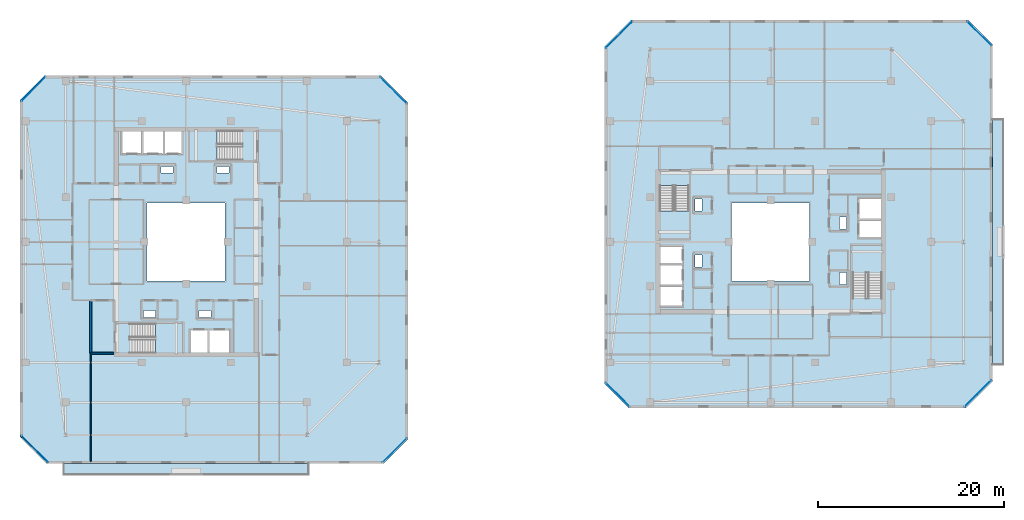
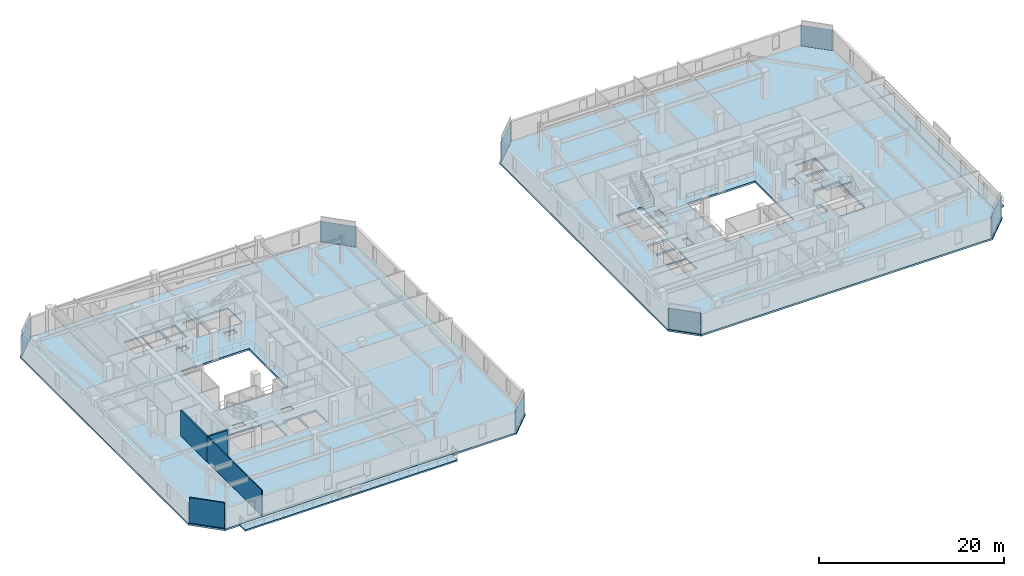
# One storey, part 20 of 35: 8 plates, 8 slabs, 4 walls, 12 elements without a shape of their own.
"""IFC4 building model written with IfcOpenShell, lengths in metres."""

from ifc_helpers import new_model, si_unit, direction, frame, frame_2d, origin, origin_2d, place, context, subcontext, project, spatial, polyline, rectangle, outline, extrude, material, layer, layer_set, type_object, element, aggregate, save


model = new_model("IFC4")

# Units and contexts
model_context = context("Model", 3, precision=1e-05, world=origin(), true_north=direction((0.0, 1.0)))
body_context = subcontext(model_context, "Body", "Model", "MODEL_VIEW")
ifc_project = project(units=[si_unit("LENGTHUNIT", "METRE"), si_unit("AREAUNIT", "SQUARE_METRE"), si_unit("VOLUMEUNIT", "CUBIC_METRE"), si_unit("PLANEANGLEUNIT", "RADIAN"), si_unit("MASSUNIT", "GRAM", prefix="KILO")], contexts=[model_context])

# Site, building, storey
site_placement = place(None, origin())
site = spatial("IfcSite", under=ifc_project, at=site_placement, CompositionType="ELEMENT")
building_placement = place(site_placement, origin())
building = spatial("IfcBuilding", under=site, at=building_placement, Name="Thornwick Lancets Civic Towers", CompositionType="ELEMENT")
storey_placement = place(building_placement, frame((0.0, 0.0, 272.699951171875)))
storey = spatial("IfcBuildingStorey", under=building, at=storey_placement, Name="L73", CompositionType="ELEMENT", Elevation=272.699951171875)

# Curtain wall, plate
ifc_material_1 = material(Name="High-zone chamfered-corner unitised glass curtain wall", Category="glass")
curtain_wall_type = type_object("IfcCurtainWallType", Name="CW_SYS_05", PredefinedType="NOTDEFINED", material=ifc_material_1)
curtain_wall_1_placement = place(storey_placement, origin())
curtain_wall_1 = element("IfcCurtainWall", 1, at=curtain_wall_1_placement, inside=storey, type_object=curtain_wall_type, Name="L73 Curtain Wall CW-L73-A-E1", PredefinedType="NOTDEFINED")
ifc_material_2 = material(Name="Low-e double glazing clear glass", Category="glass")
ifc_layer_1 = layer(ifc_material_2, 0.035888671875, Name="Low-e double glazing clear glass")
ifc_layer_set_1 = layer_set([ifc_layer_1], Name="Low-e double glazing clear glass")
plate_type = type_object("IfcPlateType", Name="CW_PNL_GLASS", PredefinedType="CURTAIN_PANEL", material=ifc_layer_set_1)
plate_1_placement = place(storey_placement, frame((47.972900390625, 4.527099609375, 0.0), z_axis=(0.0, 0.0, 1.0), x_axis=(0.707106781187, 0.707106781187, 0.0)))
plate_1 = element("IfcPlate", 2, at=plate_1_placement, type_object=plate_type, Name="CW-L73-A-E1 Panel 0", PredefinedType="CURTAIN_PANEL", context=body_context, shape_type="SweptSolid", body=[
    extrude(rectangle(XDim=3.649169921875, YDim=0.035888671875, at=origin_2d()), origin(), (0.0, 0.0, 1.0), 2.699951171875),
])
aggregate(curtain_wall_1, [plate_1])

curtain_wall_2_placement = place(storey_placement, origin())
curtain_wall_2 = element("IfcCurtainWall", 3, at=curtain_wall_2_placement, inside=storey, type_object=curtain_wall_type, Name="L73 Curtain Wall CW-L73-A-E3", PredefinedType="NOTDEFINED")
plate_2_placement = place(storey_placement, frame((47.834716796875, 43.334716796875, 0.0), z_axis=(0.0, 0.0, 1.0), x_axis=(-0.707106781187, 0.707106781187, 0.0)))
plate_2 = element("IfcPlate", 4, at=plate_2_placement, type_object=plate_type, Name="CW-L73-A-E3 Panel 0", PredefinedType="CURTAIN_PANEL", context=body_context, shape_type="SweptSolid", body=[
    extrude(rectangle(XDim=4.0380859375, YDim=0.035888671875, at=origin_2d()), origin(), (0.0, 0.0, 1.0), 2.699951171875),
])
aggregate(curtain_wall_2, [plate_2])

curtain_wall_3_placement = place(storey_placement, origin())
curtain_wall_3 = element("IfcCurtainWall", 5, at=curtain_wall_3_placement, inside=storey, type_object=curtain_wall_type, Name="L73 Curtain Wall CW-L73-A-E5", PredefinedType="NOTDEFINED")
plate_3_placement = place(storey_placement, frame((9.027099609375, 43.472900390625, 0.0), z_axis=(0.0, 0.0, 1.0), x_axis=(-0.707106781187, -0.707106781187, 0.0)))
plate_3 = element("IfcPlate", 6, at=plate_3_placement, type_object=plate_type, Name="CW-L73-A-E5 Panel 0", PredefinedType="CURTAIN_PANEL", context=body_context, shape_type="SweptSolid", body=[
    extrude(rectangle(XDim=3.649169921875, YDim=0.035888671875, at=origin_2d()), origin(), (0.0, 0.0, 1.0), 2.699951171875),
])
aggregate(curtain_wall_3, [plate_3])

curtain_wall_4_placement = place(storey_placement, origin())
curtain_wall_4 = element("IfcCurtainWall", 7, at=curtain_wall_4_placement, inside=storey, type_object=curtain_wall_type, Name="L73 Curtain Wall CW-L73-A-E7", PredefinedType="NOTDEFINED")
plate_4_placement = place(storey_placement, frame((9.165283203125, 4.665283203125, 0.0), z_axis=(0.0, 0.0, 1.0), x_axis=(0.707106781187, -0.707106781187, 0.0)))
plate_4 = element("IfcPlate", 8, at=plate_4_placement, type_object=plate_type, Name="CW-L73-A-E7 Panel 0", PredefinedType="CURTAIN_PANEL", context=body_context, shape_type="SweptSolid", body=[
    extrude(rectangle(XDim=4.0380859375, YDim=0.035888671875, at=origin_2d()), origin(), (0.0, 0.0, 1.0), 2.699951171875),
])
aggregate(curtain_wall_4, [plate_4])

curtain_wall_5_placement = place(storey_placement, origin())
curtain_wall_5 = element("IfcCurtainWall", 9, at=curtain_wall_5_placement, inside=storey, type_object=curtain_wall_type, Name="L73 Curtain Wall CW-L73-B-E1", PredefinedType="NOTDEFINED")
plate_5_placement = place(storey_placement, frame((110.834716796875, 10.665283203125, 0.0), z_axis=(0.0, 0.0, 1.0), x_axis=(0.707106781187, 0.707106781187, 0.0)))
plate_5 = element("IfcPlate", 10, at=plate_5_placement, type_object=plate_type, Name="CW-L73-B-E1 Panel 0", PredefinedType="CURTAIN_PANEL", context=body_context, shape_type="SweptSolid", body=[
    extrude(rectangle(XDim=4.0380859375, YDim=0.035888671875, at=origin_2d()), origin(), (0.0, 0.0, 1.0), 2.699951171875),
])
aggregate(curtain_wall_5, [plate_5])

curtain_wall_6_placement = place(storey_placement, origin())
curtain_wall_6 = element("IfcCurtainWall", 11, at=curtain_wall_6_placement, inside=storey, type_object=curtain_wall_type, Name="L73 Curtain Wall CW-L73-B-E3", PredefinedType="NOTDEFINED")
plate_6_placement = place(storey_placement, frame((110.972900390625, 49.472900390625, 0.0), z_axis=(0.0, 0.0, 1.0), x_axis=(-0.707106781187, 0.707106781187, 0.0)))
plate_6 = element("IfcPlate", 12, at=plate_6_placement, type_object=plate_type, Name="CW-L73-B-E3 Panel 0", PredefinedType="CURTAIN_PANEL", context=body_context, shape_type="SweptSolid", body=[
    extrude(rectangle(XDim=3.649169921875, YDim=0.035888671875, at=origin_2d()), origin(), (0.0, 0.0, 1.0), 2.699951171875),
])
aggregate(curtain_wall_6, [plate_6])

curtain_wall_7_placement = place(storey_placement, origin())
curtain_wall_7 = element("IfcCurtainWall", 13, at=curtain_wall_7_placement, inside=storey, type_object=curtain_wall_type, Name="L73 Curtain Wall CW-L73-B-E5", PredefinedType="NOTDEFINED")
plate_7_placement = place(storey_placement, frame((72.165283203125, 49.334716796875, 0.0), z_axis=(0.0, 0.0, 1.0), x_axis=(-0.707106781187, -0.707106781187, 0.0)))
plate_7 = element("IfcPlate", 14, at=plate_7_placement, type_object=plate_type, Name="CW-L73-B-E5 Panel 0", PredefinedType="CURTAIN_PANEL", context=body_context, shape_type="SweptSolid", body=[
    extrude(rectangle(XDim=4.0380859375, YDim=0.035888671875, at=origin_2d()), origin(), (0.0, 0.0, 1.0), 2.699951171875),
])
aggregate(curtain_wall_7, [plate_7])

curtain_wall_8_placement = place(storey_placement, origin())
curtain_wall_8 = element("IfcCurtainWall", 15, at=curtain_wall_8_placement, inside=storey, type_object=curtain_wall_type, Name="L73 Curtain Wall CW-L73-B-E7", PredefinedType="NOTDEFINED")
plate_8_placement = place(storey_placement, frame((72.027099609375, 10.527099609375, 0.0), z_axis=(0.0, 0.0, 1.0), x_axis=(0.707106781187, -0.707106781187, 0.0)))
plate_8 = element("IfcPlate", 16, at=plate_8_placement, type_object=plate_type, Name="CW-L73-B-E7 Panel 0", PredefinedType="CURTAIN_PANEL", context=body_context, shape_type="SweptSolid", body=[
    extrude(rectangle(XDim=3.649169921875, YDim=0.035888671875, at=origin_2d()), origin(), (0.0, 0.0, 1.0), 2.699951171875),
])
aggregate(curtain_wall_8, [plate_8])

# Slabs
ifc_material_3 = material(Name="Post-tensioned concrete C40/50", Category="concrete")
ifc_layer_2 = layer(ifc_material_3, 0.199951171875, Name="Post-tensioned concrete C40/50")
ifc_layer_set_2 = layer_set([ifc_layer_2], Name="Post-tensioned concrete C40/50")
slab_type_1 = type_object("IfcSlabType", Name="SLAB_BALCONY_200", PredefinedType="FLOOR", material=ifc_layer_set_2)
slab_1_placement = place(storey_placement, frame((0.0, 0.0, -0.199951171875)))
element("IfcSlab", 17, at=slab_1_placement, inside=storey, type_object=slab_type_1, Name="L73 Tower A Planted Balcony Slab S", PredefinedType="FLOOR", context=body_context, shape_type="SweptSolid", body=[
    extrude(outline(polyline([(12.300048828125, 1.85009765625), (38.699951171875, 1.85009765625), (38.699951171875, 3.10009765625), (12.300048828125, 3.10009765625), (12.300048828125, 1.85009765625)])), origin(), (0.0, 0.0, 1.0), 0.199951171875),
])
slab_2_placement = place(storey_placement, frame((0.0, 0.0, -0.199951171875)))
element("IfcSlab", 18, at=slab_2_placement, inside=storey, type_object=slab_type_1, Name="L73 Tower B Planted Balcony Slab E", PredefinedType="FLOOR", context=body_context, shape_type="SweptSolid", body=[
    extrude(outline(polyline([(112.39990234375, 13.800048828125), (113.64990234375, 13.800048828125), (113.64990234375, 40.199951171875), (112.39990234375, 40.199951171875), (112.39990234375, 13.800048828125)])), origin(), (0.0, 0.0, 1.0), 0.199951171875),
])

# Stair, slab
ifc_material_4 = material(Name="Concrete C40/50", Category="concrete")
stair_type = type_object("IfcStairType", Name="STAIR_DL_3600", PredefinedType="HALF_TURN_STAIR", material=ifc_material_4)
stair_1_placement = place(storey_placement, origin())
stair_1 = element("IfcStair", 19, at=stair_1_placement, inside=storey, type_object=stair_type, Name="L73 Tower A South Exit Stair ST-A1", PredefinedType="HALF_TURN_STAIR")
ifc_layer_3 = layer(ifc_material_4, 0.25, Name="Concrete C40/50")
ifc_layer_set_3 = layer_set([ifc_layer_3], Name="Concrete C40/50")
slab_type_2 = type_object("IfcSlabType", Name="SLAB_LANDING_200", PredefinedType="LANDING", material=ifc_layer_set_3)
slab_3_placement = place(storey_placement, frame((0.0, 0.0, 1.60302734375)))
slab_3 = element("IfcSlab", 20, at=slab_3_placement, type_object=slab_type_2, Name="ST-A1 landing 1", PredefinedType="LANDING", context=body_context, shape_type="SweptSolid", body=[
    extrude(outline(polyline([(22.169921875, 14.93994140625), (25.14990234375, 14.93994140625), (25.14990234375, 18.260009765625), (22.169921875, 18.260009765625), (22.169921875, 14.93994140625)])), origin(), (0.0, 0.0, 1.0), 0.199951171875),
])
aggregate(stair_1, [slab_3])

stair_2_placement = place(storey_placement, origin())
stair_2 = element("IfcStair", 21, at=stair_2_placement, inside=storey, type_object=stair_type, Name="L73 Tower A North Exit Stair ST-A2", PredefinedType="HALF_TURN_STAIR")
slab_4_placement = place(storey_placement, frame((0.0, 0.0, 1.60302734375)))
slab_4 = element("IfcSlab", 22, at=slab_4_placement, type_object=slab_type_2, Name="ST-A2 landing 1", PredefinedType="LANDING", context=body_context, shape_type="SweptSolid", body=[
    extrude(outline(polyline([(28.830078125, 39.06005859375), (25.85009765625, 39.06005859375), (25.85009765625, 35.739990234375), (28.830078125, 35.739990234375), (28.830078125, 39.06005859375)])), origin(), (0.0, 0.0, 1.0), 0.199951171875),
])
aggregate(stair_2, [slab_4])

stair_3_placement = place(storey_placement, origin())
stair_3 = element("IfcStair", 23, at=stair_3_placement, inside=storey, type_object=stair_type, Name="L73 Tower B East Exit Stair ST-B1", PredefinedType="HALF_TURN_STAIR")
slab_5_placement = place(storey_placement, frame((0.0, 0.0, 1.60302734375)))
slab_5 = element("IfcSlab", 24, at=slab_5_placement, type_object=slab_type_2, Name="ST-B1 landing 1", PredefinedType="LANDING", context=body_context, shape_type="SweptSolid", body=[
    extrude(outline(polyline([(100.56005859375, 23.669921875), (100.56005859375, 26.64990234375), (97.239990234375, 26.64990234375), (97.239990234375, 23.669921875), (100.56005859375, 23.669921875)])), origin(), (0.0, 0.0, 1.0), 0.199951171875),
])
aggregate(stair_3, [slab_5])

stair_4_placement = place(storey_placement, origin())
stair_4 = element("IfcStair", 25, at=stair_4_placement, inside=storey, type_object=stair_type, Name="L73 Tower B West Exit Stair ST-B2", PredefinedType="HALF_TURN_STAIR")
slab_6_placement = place(storey_placement, frame((0.0, 0.0, 1.60302734375)))
slab_6 = element("IfcSlab", 26, at=slab_6_placement, type_object=slab_type_2, Name="ST-B2 landing 1", PredefinedType="LANDING", context=body_context, shape_type="SweptSolid", body=[
    extrude(outline(polyline([(76.43994140625, 30.330078125), (76.43994140625, 27.35009765625), (79.760009765625, 27.35009765625), (79.760009765625, 30.330078125), (76.43994140625, 30.330078125)])), origin(), (0.0, 0.0, 1.0), 0.199951171875),
])
aggregate(stair_4, [slab_6])

# Slabs
ifc_layer_4 = layer(ifc_material_3, 0.239990234375, Name="Post-tensioned concrete C40/50")
ifc_layer_set_4 = layer_set([ifc_layer_4], Name="Post-tensioned concrete C40/50")
slab_type_3 = type_object("IfcSlabType", Name="SLAB_PT_240", PredefinedType="FLOOR", material=ifc_layer_set_4)
slab_7_placement = place(storey_placement, frame((0.0, 0.0, -0.239990234375)))
element("IfcSlab", 27, at=slab_7_placement, inside=storey, type_object=slab_type_3, Name="L73 Tower A Floor Slab", PredefinedType="FLOOR", context=body_context, shape_type="SweptSolid", body=[
    extrude(outline(polyline([(10.47705078125, 3.10009765625), (46.800048828125, 3.10009765625), (49.39990234375, 5.699951171875), (49.39990234375, 42.02294921875), (46.52294921875, 44.89990234375), (10.199951171875, 44.89990234375), (7.60009765625, 42.300048828125), (7.60009765625, 5.97705078125), (10.47705078125, 3.10009765625)]), holes=[polyline([(21.300048828125, 22.800048828125), (29.699951171875, 22.800048828125), (29.699951171875, 31.199951171875), (21.300048828125, 31.199951171875), (21.300048828125, 22.800048828125)]), polyline([(19.429931640625, 15.0), (25.10009765625, 15.0), (25.10009765625, 18.199951171875), (19.429931640625, 18.199951171875), (19.429931640625, 15.0)]), polyline([(31.570068359375, 39.0), (25.89990234375, 39.0), (25.89990234375, 35.800048828125), (31.570068359375, 35.800048828125), (31.570068359375, 39.0)]), polyline([(26.0, 15.0), (27.800048828125, 15.0), (27.800048828125, 17.550048828125), (26.0, 17.550048828125), (26.0, 15.0)]), polyline([(28.0, 15.0), (30.14990234375, 15.0), (30.14990234375, 17.550048828125), (28.0, 17.550048828125), (28.0, 15.0)]), polyline([(23.199951171875, 36.449951171875), (25.0, 36.449951171875), (25.0, 39.0), (23.199951171875, 39.0), (23.199951171875, 36.449951171875)]), polyline([(20.85009765625, 36.449951171875), (23.0, 36.449951171875), (23.0, 39.0), (20.85009765625, 39.0), (20.85009765625, 36.449951171875)]), polyline([(18.60009765625, 36.449951171875), (20.699951171875, 36.449951171875), (20.699951171875, 39.0), (18.60009765625, 39.0), (18.60009765625, 36.449951171875)]), polyline([(26.89990234375, 18.85009765625), (28.199951171875, 18.85009765625), (28.199951171875, 19.580078125), (26.89990234375, 19.580078125), (26.89990234375, 18.85009765625)]), polyline([(20.89990234375, 18.85009765625), (22.199951171875, 18.85009765625), (22.199951171875, 19.580078125), (20.89990234375, 19.580078125), (20.89990234375, 18.85009765625)]), polyline([(22.800048828125, 34.419921875), (24.10009765625, 34.419921875), (24.10009765625, 35.14990234375), (22.800048828125, 35.14990234375), (22.800048828125, 34.419921875)]), polyline([(28.800048828125, 34.419921875), (30.10009765625, 34.419921875), (30.10009765625, 35.14990234375), (28.800048828125, 35.14990234375), (28.800048828125, 34.419921875)])]), origin(), (0.0, 0.0, 1.0), 0.239990234375),
])
slab_8_placement = place(storey_placement, frame((0.0, 0.0, -0.239990234375)))
element("IfcSlab", 28, at=slab_8_placement, inside=storey, type_object=slab_type_3, Name="L73 Tower B Floor Slab", PredefinedType="FLOOR", context=body_context, shape_type="SweptSolid", body=[
    extrude(outline(polyline([(73.199951171875, 9.10009765625), (109.52294921875, 9.10009765625), (112.39990234375, 11.97705078125), (112.39990234375, 48.300048828125), (109.800048828125, 50.89990234375), (73.47705078125, 50.89990234375), (70.60009765625, 48.02294921875), (70.60009765625, 11.699951171875), (73.199951171875, 9.10009765625)]), holes=[polyline([(84.300048828125, 22.800048828125), (92.699951171875, 22.800048828125), (92.699951171875, 31.199951171875), (84.300048828125, 31.199951171875), (84.300048828125, 22.800048828125)]), polyline([(100.5, 20.929931640625), (100.5, 26.60009765625), (97.300048828125, 26.60009765625), (97.300048828125, 20.929931640625), (100.5, 20.929931640625)]), polyline([(76.5, 33.070068359375), (76.5, 27.39990234375), (79.699951171875, 27.39990234375), (79.699951171875, 33.070068359375), (76.5, 33.070068359375)]), polyline([(97.949951171875, 27.5), (100.5, 27.5), (100.5, 29.300048828125), (97.949951171875, 29.300048828125), (97.949951171875, 27.5)]), polyline([(97.949951171875, 29.5), (100.5, 29.5), (100.5, 31.64990234375), (97.949951171875, 31.64990234375), (97.949951171875, 29.5)]), polyline([(76.5, 24.699951171875), (79.050048828125, 24.699951171875), (79.050048828125, 26.5), (76.5, 26.5), (76.5, 24.699951171875)]), polyline([(76.5, 22.35009765625), (79.050048828125, 22.35009765625), (79.050048828125, 24.5), (76.5, 24.5), (76.5, 22.35009765625)]), polyline([(76.5, 20.10009765625), (79.050048828125, 20.10009765625), (79.050048828125, 22.199951171875), (76.5, 22.199951171875), (76.5, 20.10009765625)]), polyline([(95.919921875, 28.39990234375), (96.64990234375, 28.39990234375), (96.64990234375, 29.699951171875), (95.919921875, 29.699951171875), (95.919921875, 28.39990234375)]), polyline([(95.919921875, 22.39990234375), (96.64990234375, 22.39990234375), (96.64990234375, 23.699951171875), (95.919921875, 23.699951171875), (95.919921875, 22.39990234375)]), polyline([(80.35009765625, 24.300048828125), (81.080078125, 24.300048828125), (81.080078125, 25.60009765625), (80.35009765625, 25.60009765625), (80.35009765625, 24.300048828125)]), polyline([(80.35009765625, 30.300048828125), (81.080078125, 30.300048828125), (81.080078125, 31.60009765625), (80.35009765625, 31.60009765625), (80.35009765625, 30.300048828125)])]), origin(), (0.0, 0.0, 1.0), 0.239990234375),
])

# Walls
ifc_material_5 = material(Name="Concrete blockwork C40/50", Category="masonry")
ifc_layer_5 = layer(ifc_material_5, 0.199951171875, Name="Concrete blockwork C40/50")
ifc_layer_set_5 = layer_set([ifc_layer_5], Name="Concrete blockwork C40/50")
wall_type_1 = type_object("IfcWallType", Name="WALL_COMP_200", PredefinedType="STANDARD", material=ifc_layer_set_5)
wall_1_placement = place(storey_placement, frame((15.199951171875, 15.0, 0.0), z_axis=(0.0, 0.0, 1.0), x_axis=(1.0, 0.0, 0.0)))
element("IfcWall", 29, at=wall_1_placement, inside=storey, type_object=wall_type_1, Name="L73 Partition L73-A-FFLOB1 E1", PredefinedType="STANDARD", context=body_context, shape_type="SweptSolid", body=[
    extrude(rectangle(XDim=2.5, YDim=0.199951171875, at=frame_2d((1.25, 0.0))), origin(), (0.0, 0.0, 1.0), 3.340087890625),
])
wall_2_placement = place(storey_placement, frame((15.199951171875, 20.699951171875, 0.0), z_axis=(0.0, 0.0, 1.0), x_axis=(0.0, -1.0, 0.0)))
element("IfcWall", 30, at=wall_2_placement, inside=storey, type_object=wall_type_1, Name="L73 Partition L73-A-FFLOB1 E4", PredefinedType="STANDARD", context=body_context, shape_type="SweptSolid", body=[
    extrude(rectangle(XDim=5.699951171875, YDim=0.199951171875, at=frame_2d((2.85009765625, 0.0))), origin(), (0.0, 0.0, 1.0), 3.340087890625),
])
ifc_material_6 = material(Name="Acoustic gypsum board partition")
ifc_layer_6 = layer(ifc_material_6, 0.1201171875, Name="Acoustic gypsum board partition")
ifc_layer_set_6 = layer_set([ifc_layer_6], Name="Acoustic gypsum board partition")
wall_type_2 = type_object("IfcWallType", Name="WALL_PART_120", PredefinedType="PARTITIONING", material=ifc_layer_set_6)
wall_3_placement = place(storey_placement, frame((15.199951171875, 15.0, 0.0), z_axis=(0.0, 0.0, 1.0), x_axis=(0.0, -1.0, 0.0)))
element("IfcWall", 31, at=wall_3_placement, inside=storey, type_object=wall_type_2, Name="L73 Partition L73-A-W1 E5", PredefinedType="PARTITIONING", context=body_context, shape_type="SweptSolid", body=[
    extrude(rectangle(XDim=11.719970703125, YDim=0.1201171875, at=frame_2d((5.85986328125, 0.0))), origin(), (0.0, 0.0, 1.0), 3.340087890625),
])
wall_4_placement = place(storey_placement, frame((10.551513671875, 3.280029296875, 0.0), z_axis=(0.0, 0.0, 1.0), x_axis=(-0.707106781187, 0.707106781187, 0.0)))
element("IfcWall", 32, at=wall_4_placement, inside=storey, type_object=wall_type_2, Name="L73 Partition L73-A-W1 E7", PredefinedType="PARTITIONING", context=body_context, shape_type="SweptSolid", body=[
    extrude(rectangle(XDim=3.91943359375, YDim=0.1201171875, at=frame_2d((1.959716796875, 0.0))), origin(), (0.0, 0.0, 1.0), 3.340087890625),
])

save(model, "model.ifc")
